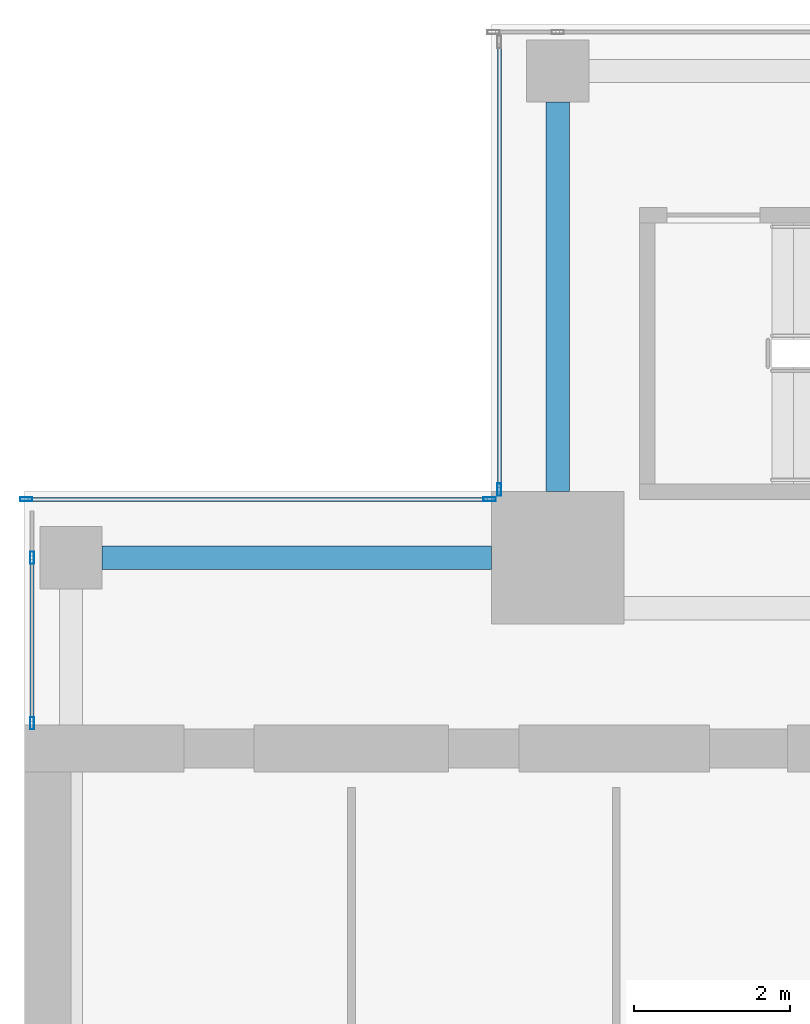
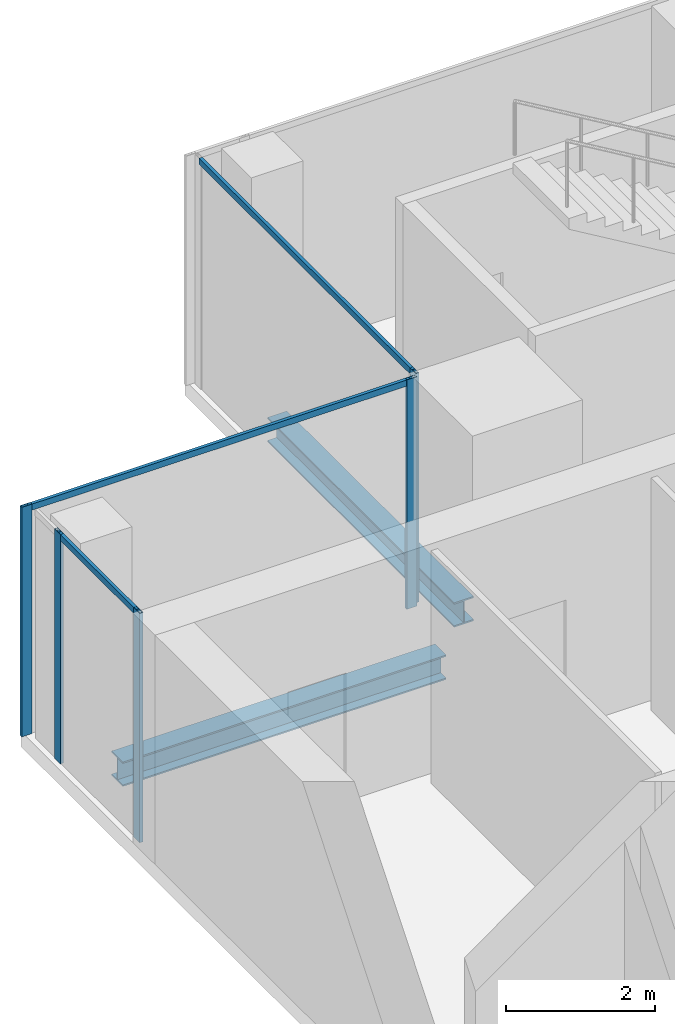
# One storey, part 14 of 29: 8 members, 2 beams, 3 elements without a shape of their own.
"""IFC4 building model written with IfcOpenShell, lengths in metres."""

import ifcopenshell
import ifcopenshell.guid

model = None  # the IFC model being written
_history = None  # IfcOwnerHistory: only IFC2X3 demands one
_inside = {}  # id of a spatial element -> (the spatial element, [elements in it])
_under = {}  # id of a project, library or spatial element -> (it, [spatial elements below it])
_declared = {}  # id of a project -> (the project, [libraries it declares])
_typed = {}  # id of a type object -> (the type object, [elements of that type])
_made_of = {}  # id of a material, layer set ... -> (it, [elements and type objects made of it])


def new_model(schema):
    """Start an empty IFC model of exactly this schema.

    Asked for "IFC4X3", IfcOpenShell would pick the latest addendum, in which some entities
    have other attributes; the version numbers below select the first issue.
    IFC2X3 requires an IfcOwnerHistory on every rooted entity: one is made here for all.
    """
    global model, _history
    if schema == "IFC4X3":
        model = ifcopenshell.file(schema_version=(4, 3, 0, 0))
    else:
        model = ifcopenshell.file(schema=schema)
    _inside.clear()
    _under.clear()
    _declared.clear()
    _typed.clear()
    _made_of.clear()
    _history = None
    if model.schema == "IFC2X3":
        org = make("IfcOrganization", Name="unknown")
        user = make(
            "IfcPersonAndOrganization",
            ThePerson=make("IfcPerson", FamilyName="unknown"),
            TheOrganization=org,
        )
        app = make(
            "IfcApplication",
            ApplicationDeveloper=org,
            Version="unknown",
            ApplicationFullName="unknown",
            ApplicationIdentifier="unknown",
        )
        _history = make(
            "IfcOwnerHistory",
            OwningUser=user,
            OwningApplication=app,
            ChangeAction="ADDED",
            CreationDate=0,
        )
    return model


def make(cls, **values):
    """One entity of the class cls with the attributes given. An attribute that is None is left unset."""
    return model.create_entity(
        cls, **{name: value for name, value in values.items() if value is not None}
    )


def rooted(cls, **values):
    """An entity with a GlobalId (a new one), such as an element, a storey or a relation."""
    return make(cls, GlobalId=ifcopenshell.guid.new(), OwnerHistory=_history, **values)


def si_unit(unit_type, name, prefix=None):
    """IfcSIUnit, for example si_unit("LENGTHUNIT", "METRE", prefix="MILLI")."""
    return make("IfcSIUnit", UnitType=unit_type, Prefix=prefix, Name=name)


def assignment(units):
    """IfcUnitAssignment: the units of a project."""
    return None if units is None else make("IfcUnitAssignment", Units=units)


def point(xyz):
    """IfcCartesianPoint."""
    return None if xyz is None else make("IfcCartesianPoint", Coordinates=xyz)


def direction(xyz):
    """IfcDirection."""
    return None if xyz is None else make("IfcDirection", DirectionRatios=xyz)


def frame(location, z_axis=None, x_axis=None):
    """IfcAxis2Placement3D, a coordinate frame: its origin and axes. An axis left out is left unset."""
    return make(
        "IfcAxis2Placement3D",
        Location=point(location),
        Axis=direction(z_axis),
        RefDirection=direction(x_axis),
    )


def frame_2d(location, x_axis=None):
    """IfcAxis2Placement2D, a coordinate frame in the plane: its origin and x axis."""
    return make(
        "IfcAxis2Placement2D", Location=point(location), RefDirection=direction(x_axis)
    )


def origin():
    """The frame at (0, 0, 0) with its axes left unset."""
    return frame((0.0, 0.0, 0.0))


def origin_2d():
    """The frame at (0, 0) in the plane with its x axis left unset."""
    return frame_2d((0.0, 0.0))


def place(relative_to, where):
    """IfcLocalPlacement: puts the frame where relative to a parent placement (None: the world)."""
    return make(
        "IfcLocalPlacement", PlacementRelTo=relative_to, RelativePlacement=where
    )


def context(
    kind, dimensions, precision=None, world=None, true_north=None, identifier=None
):
    """IfcGeometricRepresentationContext, for example the 3D "Model" context."""
    return make(
        "IfcGeometricRepresentationContext",
        ContextIdentifier=identifier,
        ContextType=kind,
        CoordinateSpaceDimension=dimensions,
        Precision=precision,
        WorldCoordinateSystem=world,
        TrueNorth=true_north,
    )


def subcontext(parent, identifier, kind, view, scale=None):
    """IfcGeometricRepresentationSubContext, for example "Body" below "Model"."""
    return make(
        "IfcGeometricRepresentationSubContext",
        ContextIdentifier=identifier,
        ContextType=kind,
        ParentContext=parent,
        TargetScale=scale,
        TargetView=view,
    )


def project(units=None, contexts=None):
    """IfcProject with its units and contexts."""
    return rooted(
        "IfcProject",
        Name="project",
        RepresentationContexts=contexts,
        UnitsInContext=assignment(units),
    )


def spatial(cls, under=None, at=None, **own):
    """A site, building, storey or space (cls), placed at a placement, below another one or the project."""
    s = rooted(cls, ObjectPlacement=at, **own)
    if under is not None:
        _under.setdefault(under.id(), (under, []))[1].append(s)
    return s


def profile(cls, at=None, kind="AREA", **sizes):
    """A parametric profile (cls). Its sizes go by their IFC names, for example OverallWidth=200.0."""
    return make(cls, ProfileType=kind, Position=at, **sizes)


def hollow_rectangle(**sizes):
    """IfcRectangleHollowProfileDef."""
    return profile("IfcRectangleHollowProfileDef", **sizes)


def i_section(**sizes):
    """IfcIShapeProfileDef."""
    return profile("IfcIShapeProfileDef", **sizes)


def extrude(swept, where, along, depth):
    """IfcExtrudedAreaSolid: the profile swept, set in the frame where, extruded along a direction by depth."""
    return make(
        "IfcExtrudedAreaSolid",
        SweptArea=swept,
        Position=where,
        ExtrudedDirection=direction(along),
        Depth=depth,
    )


def shape(context_of_items, identifier, shape_type, items):
    """IfcShapeRepresentation: the items that make up one representation, for example the "Body"."""
    return make(
        "IfcShapeRepresentation",
        ContextOfItems=context_of_items,
        RepresentationIdentifier=identifier,
        RepresentationType=shape_type,
        Items=items,
    )


def source(mapping_origin, context_of_items, identifier, shape_type, items):
    """IfcRepresentationMap: a shape defined once, which mapped items show again and again."""
    return make(
        "IfcRepresentationMap",
        MappingOrigin=mapping_origin,
        MappedRepresentation=shape(context_of_items, identifier, shape_type, items),
    )


def transform(
    local_origin,
    x_axis=None,
    y_axis=None,
    z_axis=None,
    scale=None,
    scale2=None,
    scale3=None,
    uniform=True,
):
    """IfcCartesianTransformationOperator3D, or its non-uniform kind. x_axis, y_axis, z_axis: its Axis1, 2, 3."""
    if uniform:
        return make(
            "IfcCartesianTransformationOperator3D",
            Axis1=direction(x_axis),
            Axis2=direction(y_axis),
            LocalOrigin=point(local_origin),
            Scale=scale,
            Axis3=direction(z_axis),
        )
    return make(
        "IfcCartesianTransformationOperator3DnonUniform",
        Axis1=direction(x_axis),
        Axis2=direction(y_axis),
        LocalOrigin=point(local_origin),
        Scale=scale,
        Axis3=direction(z_axis),
        Scale2=scale2,
        Scale3=scale3,
    )


def mapped(mapping_source, mapping_target):
    """IfcMappedItem: shows the shape of a source again, moved by a transform."""
    return make(
        "IfcMappedItem", MappingSource=mapping_source, MappingTarget=mapping_target
    )


def material(Name=None, Category=None):
    """IfcMaterial."""
    return make("IfcMaterial", Name=Name, Category=Category)


def material_profile(
    of_material, cross_section, Name=None, Category=None, Priority=None
):
    """IfcMaterialProfile: a cross section and its material."""
    return make(
        "IfcMaterialProfile",
        Name=Name,
        Material=of_material,
        Profile=cross_section,
        Priority=Priority,
        Category=Category,
    )


def profile_set(profiles, Name=None, composite=None):
    """IfcMaterialProfileSet."""
    return make(
        "IfcMaterialProfileSet",
        Name=Name,
        MaterialProfiles=profiles,
        CompositeProfile=composite,
    )


def made_of(thing, what):
    """Note that an element or type object is made of a material, layer set ...; save() writes the relation."""
    if what is not None:
        _made_of.setdefault(what.id(), (what, []))[1].append(thing)
    return thing


def type_object(cls, material=None, **own):
    """A type object (cls), such as IfcWallType, which elements share."""
    return made_of(rooted(cls, **own), material)


def element(
    cls,
    number,
    at=None,
    inside=None,
    cuts=None,
    type_object=None,
    material=None,
    context=None,
    identifier="Body",
    shape_type=None,
    held_by="IfcProductDefinitionShape",
    body=None,
    shapes=None,
    **own,
):
    """One element of the class cls, such as IfcWall. Its Tag is "e" and its number.

    at: its placement. inside: the storey or other place that contains it. cuts: it is an
    opening in that element (IfcRelVoidsElement). A single representation is given by context,
    identifier, shape_type and body (its items); several are given by shapes. held_by: the class
    of the entity that holds the representations. save() writes the other relations.
    """
    e = rooted(cls, Tag="e%d" % number, ObjectPlacement=at, **own)
    if body is not None:
        shapes = [shape(context, identifier, shape_type, body)]
    if shapes is not None:
        e.Representation = make(held_by, Representations=shapes)
    if inside is not None:
        _inside.setdefault(inside.id(), (inside, []))[1].append(e)
    if cuts is not None:
        rooted(
            "IfcRelVoidsElement", RelatingBuildingElement=cuts, RelatedOpeningElement=e
        )
    if type_object is not None:
        _typed.setdefault(type_object.id(), (type_object, []))[1].append(e)
    return made_of(e, material)


def aggregate(whole, parts):
    """IfcRelAggregates: a whole, such as a stair, and the parts it consists of."""
    return rooted("IfcRelAggregates", RelatingObject=whole, RelatedObjects=parts)


def save(model, path):
    """Write the relations noted so far, then the file.

    IfcRelAggregates (storeys below a building ...), IfcRelContainedInSpatialStructure (elements
    in a storey), IfcRelDefinesByType, IfcRelAssociatesMaterial and IfcRelDeclares: one each for
    every whole, place, type object, material and project.
    """
    for whole, parts in _under.values():
        aggregate(whole, parts)
    for where, things in _inside.values():
        rooted(
            "IfcRelContainedInSpatialStructure",
            RelatedElements=things,
            RelatingStructure=where,
        )
    for kind, things in _typed.values():
        rooted("IfcRelDefinesByType", RelatedObjects=things, RelatingType=kind)
    for what, things in _made_of.values():
        rooted("IfcRelAssociatesMaterial", RelatedObjects=things, RelatingMaterial=what)
    for by, libraries in _declared.values():
        rooted("IfcRelDeclares", RelatingContext=by, RelatedDefinitions=libraries)
    model.write(path)


model = new_model("IFC4")

# Units and contexts
model_context = context("Model", 3, precision=1e-05, world=origin(), true_north=direction((0.0, 1.0)))
body_context = subcontext(model_context, "Body", "Model", "MODEL_VIEW")
ifc_project = project(units=[si_unit("LENGTHUNIT", "METRE"), si_unit("AREAUNIT", "SQUARE_METRE"), si_unit("VOLUMEUNIT", "CUBIC_METRE"), si_unit("PLANEANGLEUNIT", "RADIAN"), si_unit("MASSUNIT", "GRAM", prefix="KILO")], contexts=[model_context])

# Site, building, storey
site_placement = place(None, origin())
site = spatial("IfcSite", under=ifc_project, at=site_placement, CompositionType="ELEMENT")
building_placement = place(site_placement, origin())
building = spatial("IfcBuilding", under=site, at=building_placement, Name="Khomas Fold Tower", CompositionType="ELEMENT")
storey_placement = place(building_placement, frame((0.0, 0.0, 326.199951171875)))
storey = spatial("IfcBuildingStorey", under=building, at=storey_placement, Name="L74", CompositionType="ELEMENT", Elevation=326.199951171875)

# Beams
ifc_material_1 = material(Name="Steel S355", Category="steel")
ifc_material_profile_1 = material_profile(ifc_material_1, i_section(OverallWidth=0.300048828125, OverallDepth=0.39990234375, WebThickness=0.013427734375, FlangeThickness=0.02392578125, at=origin_2d()), Name="HE 400 B")
ifc_profile_set_1 = profile_set([ifc_material_profile_1], Name="Steel S355")
beam_type = type_object("IfcBeamType", Name="HE 400 B spandrel SB5", PredefinedType="SPANDREL", material=ifc_profile_set_1)
shared_shape_1 = source(origin(), body_context, "Body", "SweptSolid", [
    extrude(i_section(OverallWidth=0.300048828125, OverallDepth=0.39990234375, WebThickness=0.013427734375, FlangeThickness=0.02392578125, at=origin_2d()), origin(), (0.0, 0.0, 1.0), 5.0),
])
for number, where, z_axis, x_axis, name in (
    (1, (12.85009765625, 42.0, -0.449951171875), (0.0, 1.0, 0.0), (-1.0, 0.0, 0.0), "SB5"),
    (2, (7.0, 41.14990234375, -0.449951171875), (1.0, 0.0, 0.0), (0.0, 1.0, 0.0), "SB5"),
):
    element("IfcBeam", number, at=place(storey_placement, frame(where, z_axis=z_axis, x_axis=x_axis)), inside=storey, type_object=beam_type, Name=name, PredefinedType="SPANDREL", context=body_context, shape_type="MappedRepresentation", body=[
        mapped(shared_shape_1, transform((0.0, 0.0, 0.0))),
    ])

# Curtain wall, member
ifc_material_2 = material(Name="Aluminium framed double glazing", Category="aluminium")
curtain_wall_type = type_object("IfcCurtainWallType", Name="SK-Unitised clear-glass wall, upper floors CW3", PredefinedType="NOTDEFINED", material=ifc_material_2)
curtain_wall_1_placement = place(storey_placement, origin())
curtain_wall_1 = element("IfcCurtainWall", 3, at=curtain_wall_1_placement, inside=storey, type_object=curtain_wall_type, Name="CW3 corner return L74 07", PredefinedType="NOTDEFINED")
ifc_material_3 = material(Name="Aluminium", Category="aluminium")
ifc_material_profile_2 = material_profile(ifc_material_3, hollow_rectangle(XDim=0.050048828125, YDim=0.159912109375, WallThickness=0.00390625, at=origin_2d()), Name="SK-Unitised clear-glass wall, upper floors mullion CW3-M")
ifc_profile_set_2 = profile_set([ifc_material_profile_2], Name="Aluminium")
member_type_1 = type_object("IfcMemberType", Name="SK-Unitised clear-glass wall, upper floors mullion CW3-M", PredefinedType="MULLION", material=ifc_profile_set_2)
shared_shape_2 = source(origin(), body_context, "Body", "SweptSolid", [
    extrude(hollow_rectangle(XDim=0.050048828125, YDim=0.159912109375, WallThickness=0.00390625, at=origin_2d()), origin(), (0.0, 0.0, 1.0), 3.75),
])
member_1_placement = place(storey_placement, frame((12.10009765625, 42.02490234375, 0.0), z_axis=(0.0, 0.0, 1.0), x_axis=(1.0, 0.0, 0.0)))
member_1 = element("IfcMember", 4, at=member_1_placement, type_object=member_type_1, Name="CW3 mullion 2", PredefinedType="MULLION", context=body_context, shape_type="MappedRepresentation", body=[
    mapped(shared_shape_2, transform((0.0, 0.0, 0.0))),
])

# Curtain wall, members
curtain_wall_2_placement = place(storey_placement, origin())
curtain_wall_2 = element("IfcCurtainWall", 5, at=curtain_wall_2_placement, inside=storey, type_object=curtain_wall_type, Name="CW3 corner return L74 08", PredefinedType="NOTDEFINED")
member_2_placement = place(storey_placement, frame((11.97509765625, 41.89990234375, 0.0), z_axis=(0.0, 0.0, 1.0), x_axis=(0.0, -1.0, 0.0)))
member_2 = element("IfcMember", 6, at=member_2_placement, type_object=member_type_1, Name="CW3 mullion 1", PredefinedType="MULLION", context=body_context, shape_type="MappedRepresentation", body=[
    mapped(shared_shape_2, transform((0.0, 0.0, 0.0))),
])
member_3_placement = place(storey_placement, frame((6.02490234375, 41.89990234375, 0.0), z_axis=(0.0, 0.0, 1.0), x_axis=(0.0, -1.0, 0.0)))
member_3 = element("IfcMember", 7, at=member_3_placement, type_object=member_type_1, Name="CW3 mullion 2", PredefinedType="MULLION", context=body_context, shape_type="MappedRepresentation", body=[
    mapped(shared_shape_2, transform((0.0, 0.0, 0.0))),
])

curtain_wall_3_placement = place(storey_placement, origin())
curtain_wall_3 = element("IfcCurtainWall", 8, at=curtain_wall_3_placement, inside=storey, type_object=curtain_wall_type, Name="CW3 run L74 09-0", PredefinedType="NOTDEFINED")
member_4_placement = place(storey_placement, frame((6.10009765625, 41.14990234375, 0.0), z_axis=(0.0, 0.0, 1.0), x_axis=(1.0, 0.0, 0.0)))
member_4 = element("IfcMember", 9, at=member_4_placement, type_object=member_type_1, Name="CW3 mullion 2", PredefinedType="MULLION", context=body_context, shape_type="MappedRepresentation", body=[
    mapped(shared_shape_2, transform((0.0, 0.0, 0.0))),
])
member_5_placement = place(storey_placement, frame((6.10009765625, 39.02490234375, 0.0), z_axis=(0.0, 0.0, 1.0), x_axis=(1.0, 0.0, 0.0)))
member_5 = element("IfcMember", 10, at=member_5_placement, type_object=member_type_1, Name="CW3 mullion 3", PredefinedType="MULLION", context=body_context, shape_type="MappedRepresentation", body=[
    mapped(shared_shape_2, transform((0.0, 0.0, 0.0))),
])

# Member
ifc_material_4 = material(Name="Aluminium", Category="aluminium")
ifc_material_profile_3 = material_profile(ifc_material_4, hollow_rectangle(XDim=0.050048828125, YDim=0.10009765625, WallThickness=0.00390625, at=origin_2d()), Name="SK-Unitised clear-glass wall, upper floors transom CW3-T")
ifc_profile_set_3 = profile_set([ifc_material_profile_3], Name="Aluminium")
member_type_2 = type_object("IfcMemberType", Name="SK-Unitised clear-glass wall, upper floors transom CW3-T", PredefinedType="USERDEFINED", material=ifc_profile_set_3)
shared_shape_3 = source(origin(), body_context, "Body", "SweptSolid", [
    extrude(hollow_rectangle(XDim=0.050048828125, YDim=0.10009765625, WallThickness=0.00390625, at=origin_2d()), origin(), (0.0, 0.0, 1.0), 5.699951171875),
])
member_6_placement = place(storey_placement, frame((12.10009765625, 47.75, 3.699951171875), z_axis=(0.0, -1.0, 0.0), x_axis=(1.0, 0.0, 0.0)))
member_6 = element("IfcMember", 11, at=member_6_placement, type_object=member_type_2, Name="CW3 transom 1", ObjectType="TRANSOM", PredefinedType="USERDEFINED", context=body_context, shape_type="MappedRepresentation", body=[
    mapped(shared_shape_3, transform((0.0, 0.0, 0.0))),
])

aggregate(curtain_wall_1, [member_1, member_6])

shared_shape_4 = source(origin(), body_context, "Body", "SweptSolid", [
    extrude(hollow_rectangle(XDim=0.050048828125, YDim=0.10009765625, WallThickness=0.00390625, at=origin_2d()), origin(), (0.0, 0.0, 1.0), 5.89990234375),
])
member_7_placement = place(storey_placement, frame((11.949951171875, 41.89990234375, 3.699951171875), z_axis=(-1.0, 0.0, 0.0), x_axis=(0.0, -1.0, 0.0)))
member_7 = element("IfcMember", 12, at=member_7_placement, type_object=member_type_2, Name="CW3 transom 1", ObjectType="TRANSOM", PredefinedType="USERDEFINED", context=body_context, shape_type="MappedRepresentation", body=[
    mapped(shared_shape_4, transform((0.0, 0.0, 0.0))),
])

aggregate(curtain_wall_2, [member_2, member_3, member_7])

shared_shape_5 = source(origin(), body_context, "Body", "SweptSolid", [
    extrude(hollow_rectangle(XDim=0.050048828125, YDim=0.10009765625, WallThickness=0.00390625, at=origin_2d()), origin(), (0.0, 0.0, 1.0), 2.074951171875),
])
member_8_placement = place(storey_placement, frame((6.10009765625, 41.125, 3.699951171875), z_axis=(0.0, -1.0, 0.0), x_axis=(1.0, 0.0, 0.0)))
member_8 = element("IfcMember", 13, at=member_8_placement, type_object=member_type_2, Name="CW3 transom 2", ObjectType="TRANSOM", PredefinedType="USERDEFINED", context=body_context, shape_type="MappedRepresentation", body=[
    mapped(shared_shape_5, transform((0.0, 0.0, 0.0))),
])

aggregate(curtain_wall_3, [member_4, member_5, member_8])

save(model, "model.ifc")
